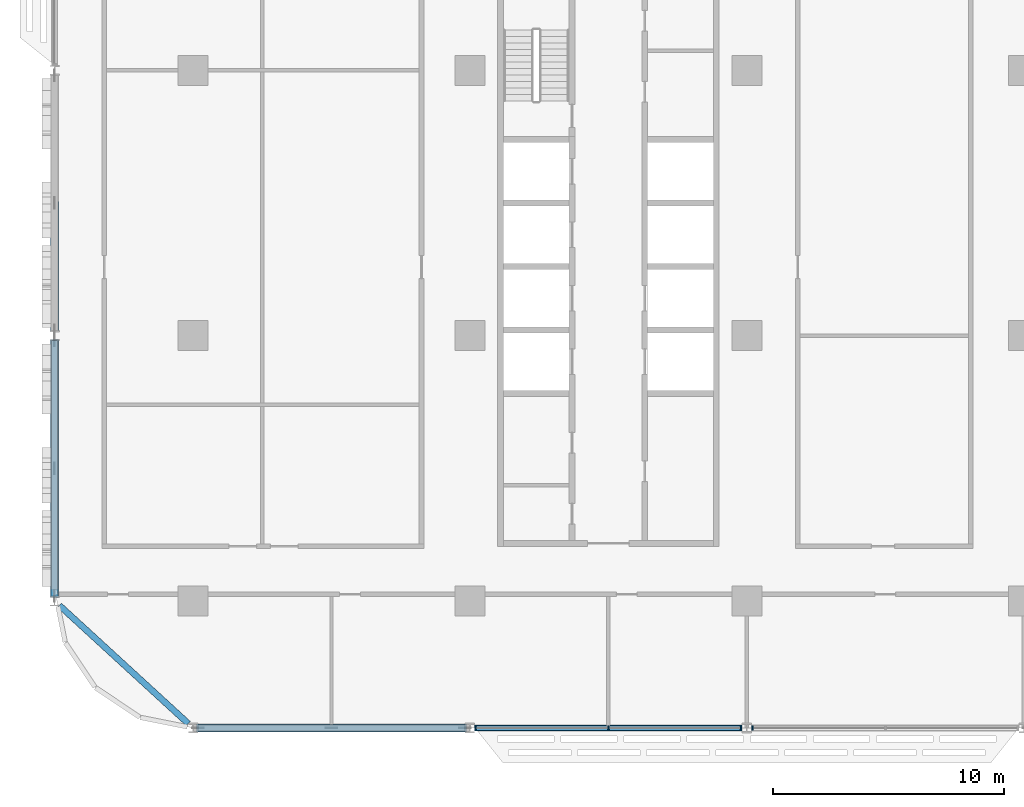
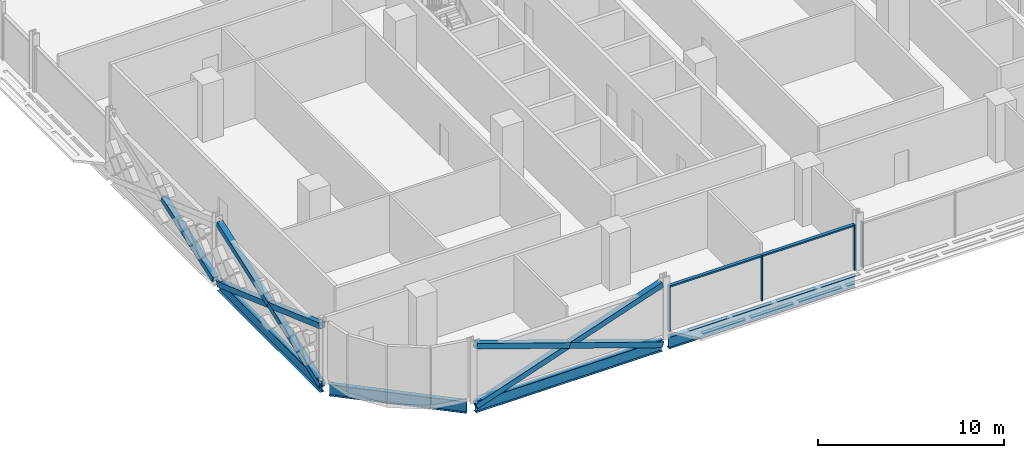
# One storey, part 3 of 28: 13 members, 4 beams, 2 elements without a shape of their own.
"""IFC4 building model written with IfcOpenShell, lengths in metres."""

from ifc_helpers import new_model, si_unit, direction, frame, origin, origin_2d, place, context, subcontext, project, spatial, rectangle, hollow_rectangle, i_section, extrude, material, material_profile, profile_set, type_object, element, aggregate, save


model = new_model("IFC4")

# Units and contexts
model_context = context("Model", 3, precision=1e-05, world=origin(), true_north=direction((0.0, 1.0)))
body_context = subcontext(model_context, "Body", "Model", "MODEL_VIEW")
ifc_project = project(units=[si_unit("LENGTHUNIT", "METRE"), si_unit("AREAUNIT", "SQUARE_METRE"), si_unit("VOLUMEUNIT", "CUBIC_METRE"), si_unit("PLANEANGLEUNIT", "RADIAN"), si_unit("MASSUNIT", "GRAM", prefix="KILO")], contexts=[model_context])

# Site, building, storey
site_placement = place(None, origin())
site = spatial("IfcSite", under=ifc_project, at=site_placement, CompositionType="ELEMENT")
building_placement = place(site_placement, origin())
building = spatial("IfcBuilding", under=site, at=building_placement, Name="Mahtab Terrace Research Tower", CompositionType="ELEMENT")
storey_placement = place(building_placement, frame((0.0, 0.0, 130.199951171875)))
storey = spatial("IfcBuildingStorey", under=building, at=storey_placement, Name="L30", CompositionType="ELEMENT", Elevation=130.199951171875)

# Members
ifc_material_1 = material(Name="Steel ASTM A500 Gr C", Category="steel")
ifc_material_profile_1 = material_profile(ifc_material_1, hollow_rectangle(XDim=0.355712890625, YDim=0.355712890625, WallThickness=0.01904296875, at=origin_2d()), Name="HSS14X14X3/4")
ifc_profile_set_1 = profile_set([ifc_material_profile_1], Name="Steel ASTM A500 Gr C")
member_type_1 = type_object("IfcMemberType", Name="HSS 14x14x3/4 brace XB141434", PredefinedType="BRACE", material=ifc_profile_set_1)
member_1_placement = place(storey_placement, frame((-48.0, 0.217041015625, -0.640869140625), z_axis=(0.0, 0.941938280918, 0.335786055312), x_axis=(-1.0, 0.0, 0.0)))
element("IfcMember", 1, at=member_1_placement, inside=storey, type_object=member_type_1, Name="Exoskeleton brace L30 11 b1", PredefinedType="BRACE", context=body_context, shape_type="SweptSolid", body=[
    extrude(hollow_rectangle(XDim=0.355712890625, YDim=0.355712890625, WallThickness=0.01904296875, at=origin_2d()), origin(), (0.0, 0.0, 1.0), 5.8740234375),
])
member_2_placement = place(storey_placement, frame((-48.0, -0.217041015625, -0.640869140625), z_axis=(0.0, -0.941931707836, 0.335804493379), x_axis=(1.0, 0.0, 0.0)))
element("IfcMember", 2, at=member_2_placement, inside=storey, type_object=member_type_1, Name="Exoskeleton brace L30 12 a", PredefinedType="BRACE", context=body_context, shape_type="SweptSolid", body=[
    extrude(hollow_rectangle(XDim=0.355712890625, YDim=0.355712890625, WallThickness=0.01904296875, at=origin_2d()), origin(), (0.0, 0.0, 1.0), 11.748046875),
])
for number, where, z_axis, x_axis, name in (
    (3, (-48.0, -11.282958984375, -0.640869140625), (0.0, 0.941938280918, 0.335786055312), (-1.0, 0.0, 0.0), "Exoskeleton brace L30 12 b1"),
    (4, (-48.0, -5.75, 1.33154296875), (0.0, 0.941925134484, 0.335822931061), (-1.0, 0.0, 0.0), "Exoskeleton brace L30 12 b2"),
):
    element("IfcMember", number, at=place(storey_placement, frame(where, z_axis=z_axis, x_axis=x_axis)), inside=storey, type_object=member_type_1, Name=name, PredefinedType="BRACE", context=body_context, shape_type="SweptSolid", body=[
        extrude(hollow_rectangle(XDim=0.355712890625, YDim=0.355712890625, WallThickness=0.01904296875, at=origin_2d()), origin(), (0.0, 0.0, 1.0), 5.8740234375),
    ])
member_3_placement = place(storey_placement, frame((-41.794189453125, -17.0, -0.648193359375), z_axis=(0.946288278, 0.0, 0.323324132908), x_axis=(0.0, 1.0, 0.0)))
element("IfcMember", 5, at=member_3_placement, inside=storey, type_object=member_type_1, Name="Exoskeleton brace L30 14 a", PredefinedType="BRACE", context=body_context, shape_type="SweptSolid", body=[
    extrude(hollow_rectangle(XDim=0.355712890625, YDim=0.355712890625, WallThickness=0.01904296875, at=origin_2d()), origin(), (0.0, 0.0, 1.0), 12.24609375),
])
for number, where, z_axis, x_axis, name in (
    (6, (-30.205810546875, -17.0, -0.648193359375), (-0.946288278, 0.0, 0.323324132908), (0.0, -1.0, 0.0), "Exoskeleton brace L30 14 b1"),
    (7, (-36.0, -17.0, 1.33154296875), (-0.946288278, 0.0, 0.323324132908), (0.0, -1.0, 0.0), "Exoskeleton brace L30 14 b2"),
):
    element("IfcMember", number, at=place(storey_placement, frame(where, z_axis=z_axis, x_axis=x_axis)), inside=storey, type_object=member_type_1, Name=name, PredefinedType="BRACE", context=body_context, shape_type="SweptSolid", body=[
        extrude(hollow_rectangle(XDim=0.355712890625, YDim=0.355712890625, WallThickness=0.01904296875, at=origin_2d()), origin(), (0.0, 0.0, 1.0), 6.123046875),
    ])

# Curtain wall, members
ifc_material_2 = material(Name="Laboratory ribbon curtain wall")
curtain_wall_type = type_object("IfcCurtainWallType", Name="Laboratory ribbon curtain wall", PredefinedType="NOTDEFINED", material=ifc_material_2)
curtain_wall_1_placement = place(storey_placement, origin())
curtain_wall_1 = element("IfcCurtainWall", 8, at=curtain_wall_1_placement, inside=storey, type_object=curtain_wall_type, Name="EN.L30.13.25", PredefinedType="NOTDEFINED")
ifc_material_3 = material(Name="Natural anodised aluminium", Category="aluminium")
ifc_material_profile_2 = material_profile(ifc_material_3, rectangle(XDim=0.199951171875, YDim=0.06494140625, at=origin_2d()), Name="MULLION 65x200")
ifc_profile_set_2 = profile_set([ifc_material_profile_2], Name="Natural anodised aluminium")
member_type_2 = type_object("IfcMemberType", Name="Laboratory ribbon curtain wall mullion", PredefinedType="MULLION", material=ifc_profile_set_2)
member_4_placement = place(storey_placement, frame((-29.74951171875, -17.0, 0.0), z_axis=(0.0, 0.0, 1.0), x_axis=(0.0, 1.0, 0.0)))
member_4 = element("IfcMember", 9, at=member_4_placement, type_object=member_type_2, Name="CWL-4 mullion 1", PredefinedType="MULLION", context=body_context, shape_type="SweptSolid", body=[
    extrude(rectangle(XDim=0.199951171875, YDim=0.06494140625, at=origin_2d()), origin(), (0.0, 0.0, 1.0), 3.003173828125),
])
member_5_placement = place(storey_placement, frame((-24.0, -17.0, 0.0), z_axis=(0.0, 0.0, 1.0), x_axis=(0.0, 1.0, 0.0)))
member_5 = element("IfcMember", 10, at=member_5_placement, type_object=member_type_2, Name="CWL-4 mullion 2", PredefinedType="MULLION", context=body_context, shape_type="SweptSolid", body=[
    extrude(rectangle(XDim=0.199951171875, YDim=0.06494140625, at=origin_2d()), origin(), (0.0, 0.0, 1.0), 3.003173828125),
])
member_6_placement = place(storey_placement, frame((-18.25048828125, -17.0, 0.0), z_axis=(0.0, 0.0, 1.0), x_axis=(0.0, 1.0, 0.0)))
member_6 = element("IfcMember", 11, at=member_6_placement, type_object=member_type_2, Name="CWL-4 mullion 3", PredefinedType="MULLION", context=body_context, shape_type="SweptSolid", body=[
    extrude(rectangle(XDim=0.199951171875, YDim=0.06494140625, at=origin_2d()), origin(), (0.0, 0.0, 1.0), 3.003173828125),
])

# Curtain wall, member
curtain_wall_2_placement = place(storey_placement, origin())
curtain_wall_2 = element("IfcCurtainWall", 12, at=curtain_wall_2_placement, inside=storey, type_object=curtain_wall_type, Name="EN.L30.13.26", PredefinedType="NOTDEFINED")
member_7_placement = place(storey_placement, frame((-17.74951171875, -17.0, 0.0), z_axis=(0.0, 0.0, 1.0), x_axis=(0.0, 1.0, 0.0)))
member_7 = element("IfcMember", 13, at=member_7_placement, type_object=member_type_2, Name="CWL-4 mullion 1", PredefinedType="MULLION", context=body_context, shape_type="SweptSolid", body=[
    extrude(rectangle(XDim=0.199951171875, YDim=0.06494140625, at=origin_2d()), origin(), (0.0, 0.0, 1.0), 3.003173828125),
])
aggregate(curtain_wall_2, [member_7])

# Member
ifc_material_profile_3 = material_profile(ifc_material_3, rectangle(XDim=0.199951171875, YDim=0.10009765625, at=origin_2d()), Name="TRANSOM 100x200")
ifc_profile_set_3 = profile_set([ifc_material_profile_3], Name="Natural anodised aluminium")
member_type_3 = type_object("IfcMemberType", Name="Laboratory ribbon curtain wall transom", PredefinedType="USERDEFINED", material=ifc_profile_set_3)
member_8_placement = place(storey_placement, frame((-29.717041015625, -17.0, 2.953125), z_axis=(1.0, 0.0, 0.0), x_axis=(0.0, 1.0, 0.0)))
member_8 = element("IfcMember", 14, at=member_8_placement, type_object=member_type_3, Name="CWL-4 transom 1", ObjectType="TRANSOM", PredefinedType="USERDEFINED", context=body_context, shape_type="SweptSolid", body=[
    extrude(rectangle(XDim=0.199951171875, YDim=0.10009765625, at=origin_2d()), origin(), (0.0, 0.0, 1.0), 5.6845703125),
])

member_9_placement = place(storey_placement, frame((-23.967529296875, -17.0, 2.953125), z_axis=(1.0, 0.0, 0.0), x_axis=(0.0, 1.0, 0.0)))
member_9 = element("IfcMember", 15, at=member_9_placement, type_object=member_type_3, Name="CWL-4 transom 2", ObjectType="TRANSOM", PredefinedType="USERDEFINED", context=body_context, shape_type="SweptSolid", body=[
    extrude(rectangle(XDim=0.199951171875, YDim=0.10009765625, at=origin_2d()), origin(), (0.0, 0.0, 1.0), 5.6845703125),
])

aggregate(curtain_wall_1, [member_4, member_5, member_6, member_8, member_9])

# Beams
ifc_material_4 = material(Name="Steel ASTM A992 Gr 50", Category="steel")
ifc_material_profile_4 = material_profile(ifc_material_4, i_section(OverallWidth=0.2666015625, OverallDepth=0.7568359375, WebThickness=0.013916015625, FlangeThickness=0.019287109375, at=origin_2d()), Name="W30X108")
ifc_profile_set_4 = profile_set([ifc_material_profile_4], Name="Steel ASTM A992 Gr 50")
beam_type = type_object("IfcBeamType", Name="W30x108 beam BS30108", PredefinedType="BEAM", material=ifc_profile_set_4)
beam_1_placement = place(storey_placement, frame((-48.0, -0.217041015625, -0.718505859375), z_axis=(0.0, -1.0, 0.0), x_axis=(1.0, 0.0, 0.0)))
element("IfcBeam", 16, at=beam_1_placement, inside=storey, type_object=beam_type, Name="Spandrel beam L30 12", PredefinedType="BEAM", context=body_context, shape_type="SweptSolid", body=[
    extrude(i_section(OverallWidth=0.2666015625, OverallDepth=0.7568359375, WebThickness=0.013916015625, FlangeThickness=0.019287109375, at=origin_2d()), origin(), (0.0, 0.0, 1.0), 11.06591796875),
])
beam_2_placement = place(storey_placement, frame((-47.794189453125, -11.688720703125, -0.718505859375), z_axis=(0.737162160905, -0.675715878554, 0.0), x_axis=(0.675715878554, 0.737162160905, 0.0)))
element("IfcBeam", 17, at=beam_2_placement, inside=storey, type_object=beam_type, Name="Spandrel beam L30 13", PredefinedType="BEAM", context=body_context, shape_type="SweptSolid", body=[
    extrude(i_section(OverallWidth=0.2666015625, OverallDepth=0.7568359375, WebThickness=0.013916015625, FlangeThickness=0.019287109375, at=origin_2d()), origin(), (0.0, 0.0, 1.0), 7.5810546875),
])
for number, where, z_axis, x_axis, name in (
    (18, (-41.794189453125, -17.0, -0.718505859375), (1.0, 0.0, 0.0), (0.0, 1.0, 0.0), "Spandrel beam L30 14"),
    (19, (-29.794189453125, -17.0, -0.718505859375), (1.0, 0.0, 0.0), (0.0, 1.0, 0.0), "Spandrel beam L30 15"),
):
    element("IfcBeam", number, at=place(storey_placement, frame(where, z_axis=z_axis, x_axis=x_axis)), inside=storey, type_object=beam_type, Name=name, PredefinedType="BEAM", context=body_context, shape_type="SweptSolid", body=[
        extrude(i_section(OverallWidth=0.2666015625, OverallDepth=0.7568359375, WebThickness=0.013916015625, FlangeThickness=0.019287109375, at=origin_2d()), origin(), (0.0, 0.0, 1.0), 11.58837890625),
    ])

save(model, "model.ifc")
